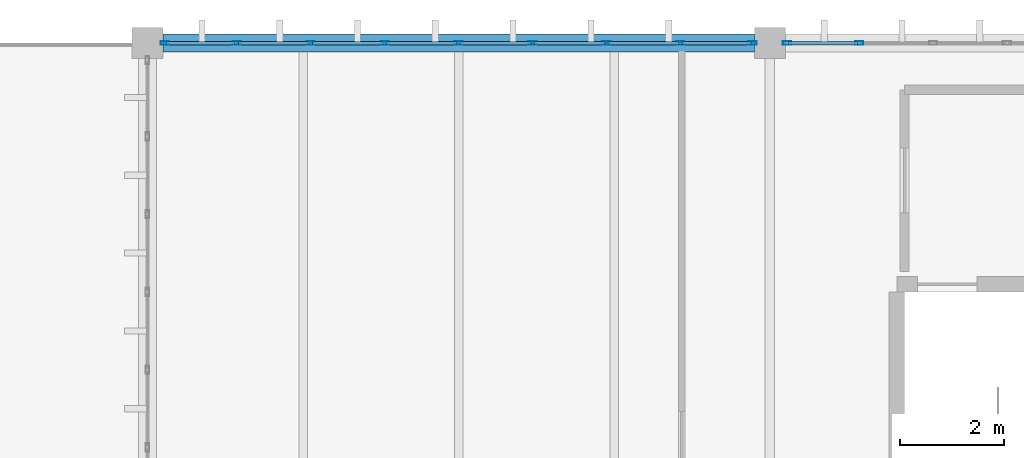
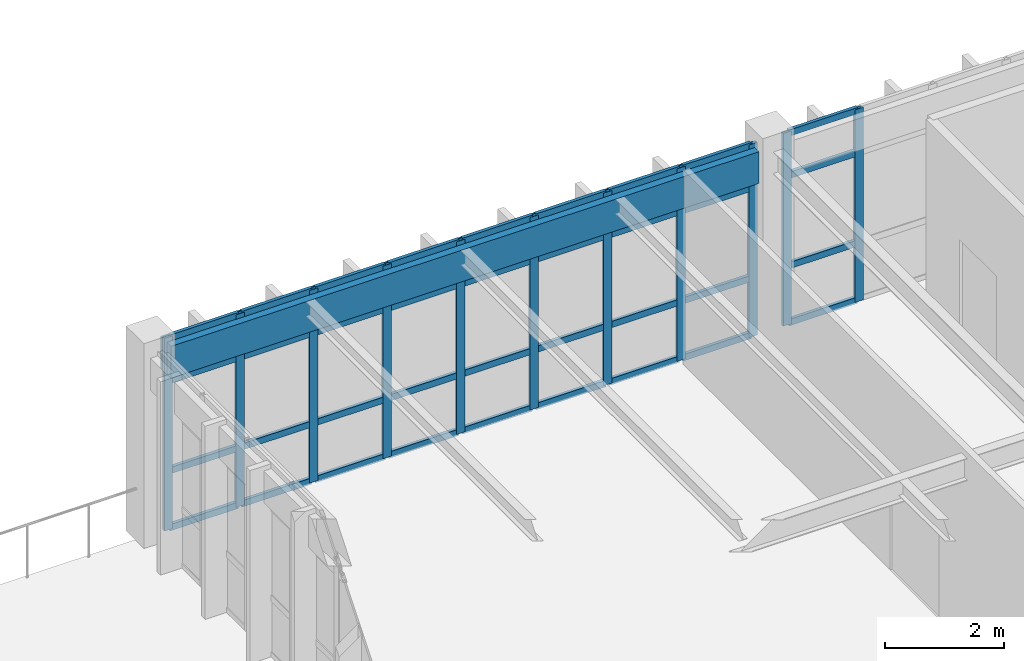
# One storey, part 16 of 28: 47 members, 1 beam, 2 elements without a shape of their own.
"""IFC4 building model written with IfcOpenShell, lengths in metres."""

import ifcopenshell
import ifcopenshell.guid

model = None  # the IFC model being written
_history = None  # IfcOwnerHistory: only IFC2X3 demands one
_inside = {}  # id of a spatial element -> (the spatial element, [elements in it])
_under = {}  # id of a project, library or spatial element -> (it, [spatial elements below it])
_declared = {}  # id of a project -> (the project, [libraries it declares])
_typed = {}  # id of a type object -> (the type object, [elements of that type])
_made_of = {}  # id of a material, layer set ... -> (it, [elements and type objects made of it])


def new_model(schema):
    """Start an empty IFC model of exactly this schema.

    Asked for "IFC4X3", IfcOpenShell would pick the latest addendum, in which some entities
    have other attributes; the version numbers below select the first issue.
    IFC2X3 requires an IfcOwnerHistory on every rooted entity: one is made here for all.
    """
    global model, _history
    if schema == "IFC4X3":
        model = ifcopenshell.file(schema_version=(4, 3, 0, 0))
    else:
        model = ifcopenshell.file(schema=schema)
    _inside.clear()
    _under.clear()
    _declared.clear()
    _typed.clear()
    _made_of.clear()
    _history = None
    if model.schema == "IFC2X3":
        org = make("IfcOrganization", Name="unknown")
        user = make(
            "IfcPersonAndOrganization",
            ThePerson=make("IfcPerson", FamilyName="unknown"),
            TheOrganization=org,
        )
        app = make(
            "IfcApplication",
            ApplicationDeveloper=org,
            Version="unknown",
            ApplicationFullName="unknown",
            ApplicationIdentifier="unknown",
        )
        _history = make(
            "IfcOwnerHistory",
            OwningUser=user,
            OwningApplication=app,
            ChangeAction="ADDED",
            CreationDate=0,
        )
    return model


def make(cls, **values):
    """One entity of the class cls with the attributes given. An attribute that is None is left unset."""
    return model.create_entity(
        cls, **{name: value for name, value in values.items() if value is not None}
    )


def rooted(cls, **values):
    """An entity with a GlobalId (a new one), such as an element, a storey or a relation."""
    return make(cls, GlobalId=ifcopenshell.guid.new(), OwnerHistory=_history, **values)


def si_unit(unit_type, name, prefix=None):
    """IfcSIUnit, for example si_unit("LENGTHUNIT", "METRE", prefix="MILLI")."""
    return make("IfcSIUnit", UnitType=unit_type, Prefix=prefix, Name=name)


def assignment(units):
    """IfcUnitAssignment: the units of a project."""
    return None if units is None else make("IfcUnitAssignment", Units=units)


def point(xyz):
    """IfcCartesianPoint."""
    return None if xyz is None else make("IfcCartesianPoint", Coordinates=xyz)


def direction(xyz):
    """IfcDirection."""
    return None if xyz is None else make("IfcDirection", DirectionRatios=xyz)


def frame(location, z_axis=None, x_axis=None):
    """IfcAxis2Placement3D, a coordinate frame: its origin and axes. An axis left out is left unset."""
    return make(
        "IfcAxis2Placement3D",
        Location=point(location),
        Axis=direction(z_axis),
        RefDirection=direction(x_axis),
    )


def frame_2d(location, x_axis=None):
    """IfcAxis2Placement2D, a coordinate frame in the plane: its origin and x axis."""
    return make(
        "IfcAxis2Placement2D", Location=point(location), RefDirection=direction(x_axis)
    )


def origin():
    """The frame at (0, 0, 0) with its axes left unset."""
    return frame((0.0, 0.0, 0.0))


def origin_2d():
    """The frame at (0, 0) in the plane with its x axis left unset."""
    return frame_2d((0.0, 0.0))


def place(relative_to, where):
    """IfcLocalPlacement: puts the frame where relative to a parent placement (None: the world)."""
    return make(
        "IfcLocalPlacement", PlacementRelTo=relative_to, RelativePlacement=where
    )


def context(
    kind, dimensions, precision=None, world=None, true_north=None, identifier=None
):
    """IfcGeometricRepresentationContext, for example the 3D "Model" context."""
    return make(
        "IfcGeometricRepresentationContext",
        ContextIdentifier=identifier,
        ContextType=kind,
        CoordinateSpaceDimension=dimensions,
        Precision=precision,
        WorldCoordinateSystem=world,
        TrueNorth=true_north,
    )


def subcontext(parent, identifier, kind, view, scale=None):
    """IfcGeometricRepresentationSubContext, for example "Body" below "Model"."""
    return make(
        "IfcGeometricRepresentationSubContext",
        ContextIdentifier=identifier,
        ContextType=kind,
        ParentContext=parent,
        TargetScale=scale,
        TargetView=view,
    )


def project(units=None, contexts=None):
    """IfcProject with its units and contexts."""
    return rooted(
        "IfcProject",
        Name="project",
        RepresentationContexts=contexts,
        UnitsInContext=assignment(units),
    )


def spatial(cls, under=None, at=None, **own):
    """A site, building, storey or space (cls), placed at a placement, below another one or the project."""
    s = rooted(cls, ObjectPlacement=at, **own)
    if under is not None:
        _under.setdefault(under.id(), (under, []))[1].append(s)
    return s


def profile(cls, at=None, kind="AREA", **sizes):
    """A parametric profile (cls). Its sizes go by their IFC names, for example OverallWidth=200.0."""
    return make(cls, ProfileType=kind, Position=at, **sizes)


def rectangle(**sizes):
    """IfcRectangleProfileDef."""
    return profile("IfcRectangleProfileDef", **sizes)


def hollow_rectangle(**sizes):
    """IfcRectangleHollowProfileDef."""
    return profile("IfcRectangleHollowProfileDef", **sizes)


def extrude(swept, where, along, depth):
    """IfcExtrudedAreaSolid: the profile swept, set in the frame where, extruded along a direction by depth."""
    return make(
        "IfcExtrudedAreaSolid",
        SweptArea=swept,
        Position=where,
        ExtrudedDirection=direction(along),
        Depth=depth,
    )


def shape(context_of_items, identifier, shape_type, items):
    """IfcShapeRepresentation: the items that make up one representation, for example the "Body"."""
    return make(
        "IfcShapeRepresentation",
        ContextOfItems=context_of_items,
        RepresentationIdentifier=identifier,
        RepresentationType=shape_type,
        Items=items,
    )


def material(Name=None, Category=None):
    """IfcMaterial."""
    return make("IfcMaterial", Name=Name, Category=Category)


def layer(
    of_material, thickness, ventilated=None, Name=None, Category=None, Priority=None
):
    """IfcMaterialLayer: one layer of a wall or slab, of a material (None: an air gap)."""
    return make(
        "IfcMaterialLayer",
        Material=of_material,
        LayerThickness=thickness,
        IsVentilated=ventilated,
        Name=Name,
        Category=Category,
        Priority=Priority,
    )


def layer_set(layers, Name=None):
    """IfcMaterialLayerSet."""
    return make("IfcMaterialLayerSet", MaterialLayers=layers, LayerSetName=Name)


def material_profile(
    of_material, cross_section, Name=None, Category=None, Priority=None
):
    """IfcMaterialProfile: a cross section and its material."""
    return make(
        "IfcMaterialProfile",
        Name=Name,
        Material=of_material,
        Profile=cross_section,
        Priority=Priority,
        Category=Category,
    )


def profile_set(profiles, Name=None, composite=None):
    """IfcMaterialProfileSet."""
    return make(
        "IfcMaterialProfileSet",
        Name=Name,
        MaterialProfiles=profiles,
        CompositeProfile=composite,
    )


def made_of(thing, what):
    """Note that an element or type object is made of a material, layer set ...; save() writes the relation."""
    if what is not None:
        _made_of.setdefault(what.id(), (what, []))[1].append(thing)
    return thing


def type_object(cls, material=None, **own):
    """A type object (cls), such as IfcWallType, which elements share."""
    return made_of(rooted(cls, **own), material)


def element(
    cls,
    number,
    at=None,
    inside=None,
    cuts=None,
    type_object=None,
    material=None,
    context=None,
    identifier="Body",
    shape_type=None,
    held_by="IfcProductDefinitionShape",
    body=None,
    shapes=None,
    **own,
):
    """One element of the class cls, such as IfcWall. Its Tag is "e" and its number.

    at: its placement. inside: the storey or other place that contains it. cuts: it is an
    opening in that element (IfcRelVoidsElement). A single representation is given by context,
    identifier, shape_type and body (its items); several are given by shapes. held_by: the class
    of the entity that holds the representations. save() writes the other relations.
    """
    e = rooted(cls, Tag="e%d" % number, ObjectPlacement=at, **own)
    if body is not None:
        shapes = [shape(context, identifier, shape_type, body)]
    if shapes is not None:
        e.Representation = make(held_by, Representations=shapes)
    if inside is not None:
        _inside.setdefault(inside.id(), (inside, []))[1].append(e)
    if cuts is not None:
        rooted(
            "IfcRelVoidsElement", RelatingBuildingElement=cuts, RelatedOpeningElement=e
        )
    if type_object is not None:
        _typed.setdefault(type_object.id(), (type_object, []))[1].append(e)
    return made_of(e, material)


def aggregate(whole, parts):
    """IfcRelAggregates: a whole, such as a stair, and the parts it consists of."""
    return rooted("IfcRelAggregates", RelatingObject=whole, RelatedObjects=parts)


def save(model, path):
    """Write the relations noted so far, then the file.

    IfcRelAggregates (storeys below a building ...), IfcRelContainedInSpatialStructure (elements
    in a storey), IfcRelDefinesByType, IfcRelAssociatesMaterial and IfcRelDeclares: one each for
    every whole, place, type object, material and project.
    """
    for whole, parts in _under.values():
        aggregate(whole, parts)
    for where, things in _inside.values():
        rooted(
            "IfcRelContainedInSpatialStructure",
            RelatedElements=things,
            RelatingStructure=where,
        )
    for kind, things in _typed.values():
        rooted("IfcRelDefinesByType", RelatedObjects=things, RelatingType=kind)
    for what, things in _made_of.values():
        rooted("IfcRelAssociatesMaterial", RelatedObjects=things, RelatingMaterial=what)
    for by, libraries in _declared.values():
        rooted("IfcRelDeclares", RelatingContext=by, RelatedDefinitions=libraries)
    model.write(path)


model = new_model("IFC4")

# Units and contexts
model_context = context("Model", 3, precision=1e-05, world=origin(), true_north=direction((0.0, 1.0)))
body_context = subcontext(model_context, "Body", "Model", "MODEL_VIEW")
ifc_project = project(units=[si_unit("LENGTHUNIT", "METRE"), si_unit("AREAUNIT", "SQUARE_METRE"), si_unit("VOLUMEUNIT", "CUBIC_METRE"), si_unit("PLANEANGLEUNIT", "RADIAN"), si_unit("MASSUNIT", "GRAM", prefix="KILO")], contexts=[model_context])

# Site, building, storey
site_placement = place(None, origin())
site = spatial("IfcSite", under=ifc_project, at=site_placement, CompositionType="ELEMENT")
building_placement = place(site_placement, origin())
building = spatial("IfcBuilding", under=site, at=building_placement, Name="Pandanus Reach Market Hall", CompositionType="ELEMENT")
storey_placement = place(building_placement, frame((0.0, 0.0, 18.60009765625)))
storey = spatial("IfcBuildingStorey", under=building, at=storey_placement, Name="L04", CompositionType="ELEMENT", Elevation=18.60009765625)

# Beam
ifc_material_1 = material(Name="Concrete N40 (40 MPa)", Category="concrete")
ifc_material_profile_1 = material_profile(ifc_material_1, rectangle(XDim=0.35009765625, YDim=0.64990234375, at=origin_2d()), Name="RC350x650", Category="LoadBearing")
ifc_profile_set_1 = profile_set([ifc_material_profile_1], Name="Concrete N40 (40 MPa)")
beam_type = type_object("IfcBeamType", Name="BM-RC350-E", PredefinedType="SPANDREL", material=ifc_profile_set_1)
beam_placement = place(storey_placement, frame((156.298095703125, 76.800048828125, 3.534912109375), z_axis=(1.0, 0.0, 0.0), x_axis=(0.0, 1.0, 0.0)))
element("IfcBeam", 1, at=beam_placement, inside=storey, type_object=beam_type, Name="Framing beam BM-RC350-E L04.620", PredefinedType="SPANDREL", context=body_context, shape_type="SweptSolid", body=[
    extrude(rectangle(XDim=0.35009765625, YDim=0.64990234375, at=origin_2d()), origin(), (0.0, 0.0, 1.0), 11.40380859375),
])

# Curtain wall, members
ifc_material_2 = material(Name="Bronze anodised aluminium and low-E glass", Category="aluminium")
ifc_layer = layer(ifc_material_2, 0.159912109375, Name="CW-35")
ifc_layer_set = layer_set([ifc_layer], Name="Bronze anodised aluminium and low-E glass")
curtain_wall_type = type_object("IfcCurtainWallType", Name="CW-35", PredefinedType="NOTDEFINED", material=ifc_layer_set)
curtain_wall_1_placement = place(storey_placement, origin())
curtain_wall_1 = element("IfcCurtainWall", 2, at=curtain_wall_1_placement, inside=storey, type_object=curtain_wall_type, Name="Glazed curtain wall CW-35 CW-0128", PredefinedType="NOTDEFINED")
ifc_material_3 = material(Name="Bronze anodised aluminium", Category="aluminium")
ifc_material_profile_2 = material_profile(ifc_material_3, hollow_rectangle(XDim=0.06494140625, YDim=0.159912109375, WallThickness=0.00390625, at=origin_2d()), Name="ALU65x160", Category="LoadBearing")
ifc_profile_set_2 = profile_set([ifc_material_profile_2], Name="Bronze anodised aluminium")
member_type_1 = type_object("IfcMemberType", Name="CW-M1", PredefinedType="MULLION", material=ifc_profile_set_2)
member_1_placement = place(storey_placement, frame((156.33251953125, 76.800048828125, 0.0), z_axis=(0.0, 0.0, 1.0), x_axis=(0.0, 1.0, 0.0)))
member_1 = element("IfcMember", 3, at=member_1_placement, type_object=member_type_1, Name="CW-35 mullion 1", PredefinedType="MULLION", context=body_context, shape_type="SweptSolid", body=[
    extrude(hollow_rectangle(XDim=0.06494140625, YDim=0.159912109375, WallThickness=0.00390625, at=origin_2d()), origin(), (0.0, 0.0, 1.0), 3.949951171875),
])
member_2_placement = place(storey_placement, frame((157.72509765625, 76.800048828125, 0.0), z_axis=(0.0, 0.0, 1.0), x_axis=(0.0, 1.0, 0.0)))
member_2 = element("IfcMember", 4, at=member_2_placement, type_object=member_type_1, Name="CW-35 mullion 2", PredefinedType="MULLION", context=body_context, shape_type="SweptSolid", body=[
    extrude(hollow_rectangle(XDim=0.06494140625, YDim=0.159912109375, WallThickness=0.00390625, at=origin_2d()), origin(), (0.0, 0.0, 1.0), 3.949951171875),
])
member_3_placement = place(storey_placement, frame((159.14990234375, 76.800048828125, 0.0), z_axis=(0.0, 0.0, 1.0), x_axis=(0.0, 1.0, 0.0)))
member_3 = element("IfcMember", 5, at=member_3_placement, type_object=member_type_1, Name="CW-35 mullion 3", PredefinedType="MULLION", context=body_context, shape_type="SweptSolid", body=[
    extrude(hollow_rectangle(XDim=0.06494140625, YDim=0.159912109375, WallThickness=0.00390625, at=origin_2d()), origin(), (0.0, 0.0, 1.0), 3.949951171875),
])
member_4_placement = place(storey_placement, frame((160.574951171875, 76.800048828125, 0.0), z_axis=(0.0, 0.0, 1.0), x_axis=(0.0, 1.0, 0.0)))
member_4 = element("IfcMember", 6, at=member_4_placement, type_object=member_type_1, Name="CW-35 mullion 4", PredefinedType="MULLION", context=body_context, shape_type="SweptSolid", body=[
    extrude(hollow_rectangle(XDim=0.06494140625, YDim=0.159912109375, WallThickness=0.00390625, at=origin_2d()), origin(), (0.0, 0.0, 1.0), 3.949951171875),
])
member_5_placement = place(storey_placement, frame((162.0, 76.800048828125, 0.0), z_axis=(0.0, 0.0, 1.0), x_axis=(0.0, 1.0, 0.0)))
member_5 = element("IfcMember", 7, at=member_5_placement, type_object=member_type_1, Name="CW-35 mullion 5", PredefinedType="MULLION", context=body_context, shape_type="SweptSolid", body=[
    extrude(hollow_rectangle(XDim=0.06494140625, YDim=0.159912109375, WallThickness=0.00390625, at=origin_2d()), origin(), (0.0, 0.0, 1.0), 3.949951171875),
])
member_6_placement = place(storey_placement, frame((163.425048828125, 76.800048828125, 0.0), z_axis=(0.0, 0.0, 1.0), x_axis=(0.0, 1.0, 0.0)))
member_6 = element("IfcMember", 8, at=member_6_placement, type_object=member_type_1, Name="CW-35 mullion 6", PredefinedType="MULLION", context=body_context, shape_type="SweptSolid", body=[
    extrude(hollow_rectangle(XDim=0.06494140625, YDim=0.159912109375, WallThickness=0.00390625, at=origin_2d()), origin(), (0.0, 0.0, 1.0), 3.949951171875),
])
member_7_placement = place(storey_placement, frame((164.85009765625, 76.800048828125, 0.0), z_axis=(0.0, 0.0, 1.0), x_axis=(0.0, 1.0, 0.0)))
member_7 = element("IfcMember", 9, at=member_7_placement, type_object=member_type_1, Name="CW-35 mullion 7", PredefinedType="MULLION", context=body_context, shape_type="SweptSolid", body=[
    extrude(hollow_rectangle(XDim=0.06494140625, YDim=0.159912109375, WallThickness=0.00390625, at=origin_2d()), origin(), (0.0, 0.0, 1.0), 3.949951171875),
])
member_8_placement = place(storey_placement, frame((166.27490234375, 76.800048828125, 0.0), z_axis=(0.0, 0.0, 1.0), x_axis=(0.0, 1.0, 0.0)))
member_8 = element("IfcMember", 10, at=member_8_placement, type_object=member_type_1, Name="CW-35 mullion 8", PredefinedType="MULLION", context=body_context, shape_type="SweptSolid", body=[
    extrude(hollow_rectangle(XDim=0.06494140625, YDim=0.159912109375, WallThickness=0.00390625, at=origin_2d()), origin(), (0.0, 0.0, 1.0), 3.949951171875),
])
member_9_placement = place(storey_placement, frame((167.66748046875, 76.800048828125, 0.0), z_axis=(0.0, 0.0, 1.0), x_axis=(0.0, 1.0, 0.0)))
member_9 = element("IfcMember", 11, at=member_9_placement, type_object=member_type_1, Name="CW-35 mullion 9", PredefinedType="MULLION", context=body_context, shape_type="SweptSolid", body=[
    extrude(hollow_rectangle(XDim=0.06494140625, YDim=0.159912109375, WallThickness=0.00390625, at=origin_2d()), origin(), (0.0, 0.0, 1.0), 3.949951171875),
])

curtain_wall_2_placement = place(storey_placement, origin())
curtain_wall_2 = element("IfcCurtainWall", 12, at=curtain_wall_2_placement, inside=storey, type_object=curtain_wall_type, Name="Glazed curtain wall CW-35 CW-0130", PredefinedType="NOTDEFINED")
member_10_placement = place(storey_placement, frame((168.33251953125, 76.800048828125, 0.0), z_axis=(0.0, 0.0, 1.0), x_axis=(0.0, 1.0, 0.0)))
member_10 = element("IfcMember", 13, at=member_10_placement, type_object=member_type_1, Name="CW-35 mullion 1", PredefinedType="MULLION", context=body_context, shape_type="SweptSolid", body=[
    extrude(hollow_rectangle(XDim=0.06494140625, YDim=0.159912109375, WallThickness=0.00390625, at=origin_2d()), origin(), (0.0, 0.0, 1.0), 3.949951171875),
])
member_11_placement = place(storey_placement, frame((169.72509765625, 76.800048828125, 0.0), z_axis=(0.0, 0.0, 1.0), x_axis=(0.0, 1.0, 0.0)))
member_11 = element("IfcMember", 14, at=member_11_placement, type_object=member_type_1, Name="CW-35 mullion 2", PredefinedType="MULLION", context=body_context, shape_type="SweptSolid", body=[
    extrude(hollow_rectangle(XDim=0.06494140625, YDim=0.159912109375, WallThickness=0.00390625, at=origin_2d()), origin(), (0.0, 0.0, 1.0), 3.949951171875),
])

# Member
ifc_material_profile_3 = material_profile(ifc_material_3, hollow_rectangle(XDim=0.06494140625, YDim=0.1298828125, WallThickness=0.00390625, at=origin_2d()), Name="ALU65x130", Category="LoadBearing")
ifc_profile_set_3 = profile_set([ifc_material_profile_3], Name="Bronze anodised aluminium")
member_type_2 = type_object("IfcMemberType", Name="CW-T1", PredefinedType="USERDEFINED", material=ifc_profile_set_3)
member_12_placement = place(storey_placement, frame((156.364990234375, 76.800048828125, 0.032470703125), z_axis=(1.0, 0.0, 0.0), x_axis=(0.0, 1.0, 0.0)))
member_12 = element("IfcMember", 15, at=member_12_placement, type_object=member_type_2, Name="CW-35 transom 1.1", ObjectType="TRANSOM", PredefinedType="USERDEFINED", context=body_context, shape_type="SweptSolid", body=[
    extrude(hollow_rectangle(XDim=0.06494140625, YDim=0.1298828125, WallThickness=0.00390625, at=origin_2d()), origin(), (0.0, 0.0, 1.0), 1.327392578125),
])

member_13_placement = place(storey_placement, frame((156.364990234375, 76.800048828125, 1.199951171875), z_axis=(1.0, 0.0, 0.0), x_axis=(0.0, 1.0, 0.0)))
member_13 = element("IfcMember", 16, at=member_13_placement, type_object=member_type_2, Name="CW-35 transom 1.2", ObjectType="TRANSOM", PredefinedType="USERDEFINED", context=body_context, shape_type="SweptSolid", body=[
    extrude(hollow_rectangle(XDim=0.06494140625, YDim=0.1298828125, WallThickness=0.00390625, at=origin_2d()), origin(), (0.0, 0.0, 1.0), 1.327392578125),
])

member_14_placement = place(storey_placement, frame((156.364990234375, 76.800048828125, 3.0498046875), z_axis=(1.0, 0.0, 0.0), x_axis=(0.0, 1.0, 0.0)))
member_14 = element("IfcMember", 17, at=member_14_placement, type_object=member_type_2, Name="CW-35 transom 1.3", ObjectType="TRANSOM", PredefinedType="USERDEFINED", context=body_context, shape_type="SweptSolid", body=[
    extrude(hollow_rectangle(XDim=0.06494140625, YDim=0.1298828125, WallThickness=0.00390625, at=origin_2d()), origin(), (0.0, 0.0, 1.0), 1.327392578125),
])

member_15_placement = place(storey_placement, frame((156.364990234375, 76.800048828125, 3.91748046875), z_axis=(1.0, 0.0, 0.0), x_axis=(0.0, 1.0, 0.0)))
member_15 = element("IfcMember", 18, at=member_15_placement, type_object=member_type_2, Name="CW-35 transom 1.4", ObjectType="TRANSOM", PredefinedType="USERDEFINED", context=body_context, shape_type="SweptSolid", body=[
    extrude(hollow_rectangle(XDim=0.06494140625, YDim=0.1298828125, WallThickness=0.00390625, at=origin_2d()), origin(), (0.0, 0.0, 1.0), 1.327392578125),
])

member_16_placement = place(storey_placement, frame((157.757568359375, 76.800048828125, 0.032470703125), z_axis=(1.0, 0.0, 0.0), x_axis=(0.0, 1.0, 0.0)))
member_16 = element("IfcMember", 19, at=member_16_placement, type_object=member_type_2, Name="CW-35 transom 2.1", ObjectType="TRANSOM", PredefinedType="USERDEFINED", context=body_context, shape_type="SweptSolid", body=[
    extrude(hollow_rectangle(XDim=0.06494140625, YDim=0.1298828125, WallThickness=0.00390625, at=origin_2d()), origin(), (0.0, 0.0, 1.0), 1.35986328125),
])

member_17_placement = place(storey_placement, frame((157.757568359375, 76.800048828125, 1.199951171875), z_axis=(1.0, 0.0, 0.0), x_axis=(0.0, 1.0, 0.0)))
member_17 = element("IfcMember", 20, at=member_17_placement, type_object=member_type_2, Name="CW-35 transom 2.2", ObjectType="TRANSOM", PredefinedType="USERDEFINED", context=body_context, shape_type="SweptSolid", body=[
    extrude(hollow_rectangle(XDim=0.06494140625, YDim=0.1298828125, WallThickness=0.00390625, at=origin_2d()), origin(), (0.0, 0.0, 1.0), 1.35986328125),
])

member_18_placement = place(storey_placement, frame((157.757568359375, 76.800048828125, 3.0498046875), z_axis=(1.0, 0.0, 0.0), x_axis=(0.0, 1.0, 0.0)))
member_18 = element("IfcMember", 21, at=member_18_placement, type_object=member_type_2, Name="CW-35 transom 2.3", ObjectType="TRANSOM", PredefinedType="USERDEFINED", context=body_context, shape_type="SweptSolid", body=[
    extrude(hollow_rectangle(XDim=0.06494140625, YDim=0.1298828125, WallThickness=0.00390625, at=origin_2d()), origin(), (0.0, 0.0, 1.0), 1.35986328125),
])

member_19_placement = place(storey_placement, frame((157.757568359375, 76.800048828125, 3.91748046875), z_axis=(1.0, 0.0, 0.0), x_axis=(0.0, 1.0, 0.0)))
member_19 = element("IfcMember", 22, at=member_19_placement, type_object=member_type_2, Name="CW-35 transom 2.4", ObjectType="TRANSOM", PredefinedType="USERDEFINED", context=body_context, shape_type="SweptSolid", body=[
    extrude(hollow_rectangle(XDim=0.06494140625, YDim=0.1298828125, WallThickness=0.00390625, at=origin_2d()), origin(), (0.0, 0.0, 1.0), 1.35986328125),
])

member_20_placement = place(storey_placement, frame((159.1826171875, 76.800048828125, 0.032470703125), z_axis=(1.0, 0.0, 0.0), x_axis=(0.0, 1.0, 0.0)))
member_20 = element("IfcMember", 23, at=member_20_placement, type_object=member_type_2, Name="CW-35 transom 3.1", ObjectType="TRANSOM", PredefinedType="USERDEFINED", context=body_context, shape_type="SweptSolid", body=[
    extrude(hollow_rectangle(XDim=0.06494140625, YDim=0.1298828125, WallThickness=0.00390625, at=origin_2d()), origin(), (0.0, 0.0, 1.0), 1.35986328125),
])

member_21_placement = place(storey_placement, frame((159.1826171875, 76.800048828125, 1.199951171875), z_axis=(1.0, 0.0, 0.0), x_axis=(0.0, 1.0, 0.0)))
member_21 = element("IfcMember", 24, at=member_21_placement, type_object=member_type_2, Name="CW-35 transom 3.2", ObjectType="TRANSOM", PredefinedType="USERDEFINED", context=body_context, shape_type="SweptSolid", body=[
    extrude(hollow_rectangle(XDim=0.06494140625, YDim=0.1298828125, WallThickness=0.00390625, at=origin_2d()), origin(), (0.0, 0.0, 1.0), 1.35986328125),
])

member_22_placement = place(storey_placement, frame((159.1826171875, 76.800048828125, 3.0498046875), z_axis=(1.0, 0.0, 0.0), x_axis=(0.0, 1.0, 0.0)))
member_22 = element("IfcMember", 25, at=member_22_placement, type_object=member_type_2, Name="CW-35 transom 3.3", ObjectType="TRANSOM", PredefinedType="USERDEFINED", context=body_context, shape_type="SweptSolid", body=[
    extrude(hollow_rectangle(XDim=0.06494140625, YDim=0.1298828125, WallThickness=0.00390625, at=origin_2d()), origin(), (0.0, 0.0, 1.0), 1.35986328125),
])

member_23_placement = place(storey_placement, frame((159.1826171875, 76.800048828125, 3.91748046875), z_axis=(1.0, 0.0, 0.0), x_axis=(0.0, 1.0, 0.0)))
member_23 = element("IfcMember", 26, at=member_23_placement, type_object=member_type_2, Name="CW-35 transom 3.4", ObjectType="TRANSOM", PredefinedType="USERDEFINED", context=body_context, shape_type="SweptSolid", body=[
    extrude(hollow_rectangle(XDim=0.06494140625, YDim=0.1298828125, WallThickness=0.00390625, at=origin_2d()), origin(), (0.0, 0.0, 1.0), 1.35986328125),
])

member_24_placement = place(storey_placement, frame((160.607421875, 76.800048828125, 0.032470703125), z_axis=(1.0, 0.0, 0.0), x_axis=(0.0, 1.0, 0.0)))
member_24 = element("IfcMember", 27, at=member_24_placement, type_object=member_type_2, Name="CW-35 transom 4.1", ObjectType="TRANSOM", PredefinedType="USERDEFINED", context=body_context, shape_type="SweptSolid", body=[
    extrude(hollow_rectangle(XDim=0.06494140625, YDim=0.1298828125, WallThickness=0.00390625, at=origin_2d()), origin(), (0.0, 0.0, 1.0), 1.360107421875),
])

member_25_placement = place(storey_placement, frame((160.607421875, 76.800048828125, 1.199951171875), z_axis=(1.0, 0.0, 0.0), x_axis=(0.0, 1.0, 0.0)))
member_25 = element("IfcMember", 28, at=member_25_placement, type_object=member_type_2, Name="CW-35 transom 4.2", ObjectType="TRANSOM", PredefinedType="USERDEFINED", context=body_context, shape_type="SweptSolid", body=[
    extrude(hollow_rectangle(XDim=0.06494140625, YDim=0.1298828125, WallThickness=0.00390625, at=origin_2d()), origin(), (0.0, 0.0, 1.0), 1.360107421875),
])

member_26_placement = place(storey_placement, frame((160.607421875, 76.800048828125, 3.0498046875), z_axis=(1.0, 0.0, 0.0), x_axis=(0.0, 1.0, 0.0)))
member_26 = element("IfcMember", 29, at=member_26_placement, type_object=member_type_2, Name="CW-35 transom 4.3", ObjectType="TRANSOM", PredefinedType="USERDEFINED", context=body_context, shape_type="SweptSolid", body=[
    extrude(hollow_rectangle(XDim=0.06494140625, YDim=0.1298828125, WallThickness=0.00390625, at=origin_2d()), origin(), (0.0, 0.0, 1.0), 1.360107421875),
])

member_27_placement = place(storey_placement, frame((160.607421875, 76.800048828125, 3.91748046875), z_axis=(1.0, 0.0, 0.0), x_axis=(0.0, 1.0, 0.0)))
member_27 = element("IfcMember", 30, at=member_27_placement, type_object=member_type_2, Name="CW-35 transom 4.4", ObjectType="TRANSOM", PredefinedType="USERDEFINED", context=body_context, shape_type="SweptSolid", body=[
    extrude(hollow_rectangle(XDim=0.06494140625, YDim=0.1298828125, WallThickness=0.00390625, at=origin_2d()), origin(), (0.0, 0.0, 1.0), 1.360107421875),
])

member_28_placement = place(storey_placement, frame((162.032470703125, 76.800048828125, 0.032470703125), z_axis=(1.0, 0.0, 0.0), x_axis=(0.0, 1.0, 0.0)))
member_28 = element("IfcMember", 31, at=member_28_placement, type_object=member_type_2, Name="CW-35 transom 5.1", ObjectType="TRANSOM", PredefinedType="USERDEFINED", context=body_context, shape_type="SweptSolid", body=[
    extrude(hollow_rectangle(XDim=0.06494140625, YDim=0.1298828125, WallThickness=0.00390625, at=origin_2d()), origin(), (0.0, 0.0, 1.0), 1.360107421875),
])

member_29_placement = place(storey_placement, frame((162.032470703125, 76.800048828125, 1.199951171875), z_axis=(1.0, 0.0, 0.0), x_axis=(0.0, 1.0, 0.0)))
member_29 = element("IfcMember", 32, at=member_29_placement, type_object=member_type_2, Name="CW-35 transom 5.2", ObjectType="TRANSOM", PredefinedType="USERDEFINED", context=body_context, shape_type="SweptSolid", body=[
    extrude(hollow_rectangle(XDim=0.06494140625, YDim=0.1298828125, WallThickness=0.00390625, at=origin_2d()), origin(), (0.0, 0.0, 1.0), 1.360107421875),
])

member_30_placement = place(storey_placement, frame((162.032470703125, 76.800048828125, 3.0498046875), z_axis=(1.0, 0.0, 0.0), x_axis=(0.0, 1.0, 0.0)))
member_30 = element("IfcMember", 33, at=member_30_placement, type_object=member_type_2, Name="CW-35 transom 5.3", ObjectType="TRANSOM", PredefinedType="USERDEFINED", context=body_context, shape_type="SweptSolid", body=[
    extrude(hollow_rectangle(XDim=0.06494140625, YDim=0.1298828125, WallThickness=0.00390625, at=origin_2d()), origin(), (0.0, 0.0, 1.0), 1.360107421875),
])

member_31_placement = place(storey_placement, frame((162.032470703125, 76.800048828125, 3.91748046875), z_axis=(1.0, 0.0, 0.0), x_axis=(0.0, 1.0, 0.0)))
member_31 = element("IfcMember", 34, at=member_31_placement, type_object=member_type_2, Name="CW-35 transom 5.4", ObjectType="TRANSOM", PredefinedType="USERDEFINED", context=body_context, shape_type="SweptSolid", body=[
    extrude(hollow_rectangle(XDim=0.06494140625, YDim=0.1298828125, WallThickness=0.00390625, at=origin_2d()), origin(), (0.0, 0.0, 1.0), 1.360107421875),
])

member_32_placement = place(storey_placement, frame((163.45751953125, 76.800048828125, 0.032470703125), z_axis=(1.0, 0.0, 0.0), x_axis=(0.0, 1.0, 0.0)))
member_32 = element("IfcMember", 35, at=member_32_placement, type_object=member_type_2, Name="CW-35 transom 6.1", ObjectType="TRANSOM", PredefinedType="USERDEFINED", context=body_context, shape_type="SweptSolid", body=[
    extrude(hollow_rectangle(XDim=0.06494140625, YDim=0.1298828125, WallThickness=0.00390625, at=origin_2d()), origin(), (0.0, 0.0, 1.0), 1.35986328125),
])

member_33_placement = place(storey_placement, frame((163.45751953125, 76.800048828125, 1.199951171875), z_axis=(1.0, 0.0, 0.0), x_axis=(0.0, 1.0, 0.0)))
member_33 = element("IfcMember", 36, at=member_33_placement, type_object=member_type_2, Name="CW-35 transom 6.2", ObjectType="TRANSOM", PredefinedType="USERDEFINED", context=body_context, shape_type="SweptSolid", body=[
    extrude(hollow_rectangle(XDim=0.06494140625, YDim=0.1298828125, WallThickness=0.00390625, at=origin_2d()), origin(), (0.0, 0.0, 1.0), 1.35986328125),
])

member_34_placement = place(storey_placement, frame((163.45751953125, 76.800048828125, 3.0498046875), z_axis=(1.0, 0.0, 0.0), x_axis=(0.0, 1.0, 0.0)))
member_34 = element("IfcMember", 37, at=member_34_placement, type_object=member_type_2, Name="CW-35 transom 6.3", ObjectType="TRANSOM", PredefinedType="USERDEFINED", context=body_context, shape_type="SweptSolid", body=[
    extrude(hollow_rectangle(XDim=0.06494140625, YDim=0.1298828125, WallThickness=0.00390625, at=origin_2d()), origin(), (0.0, 0.0, 1.0), 1.35986328125),
])

member_35_placement = place(storey_placement, frame((163.45751953125, 76.800048828125, 3.91748046875), z_axis=(1.0, 0.0, 0.0), x_axis=(0.0, 1.0, 0.0)))
member_35 = element("IfcMember", 38, at=member_35_placement, type_object=member_type_2, Name="CW-35 transom 6.4", ObjectType="TRANSOM", PredefinedType="USERDEFINED", context=body_context, shape_type="SweptSolid", body=[
    extrude(hollow_rectangle(XDim=0.06494140625, YDim=0.1298828125, WallThickness=0.00390625, at=origin_2d()), origin(), (0.0, 0.0, 1.0), 1.35986328125),
])

member_36_placement = place(storey_placement, frame((164.882568359375, 76.800048828125, 0.032470703125), z_axis=(1.0, 0.0, 0.0), x_axis=(0.0, 1.0, 0.0)))
member_36 = element("IfcMember", 39, at=member_36_placement, type_object=member_type_2, Name="CW-35 transom 7.1", ObjectType="TRANSOM", PredefinedType="USERDEFINED", context=body_context, shape_type="SweptSolid", body=[
    extrude(hollow_rectangle(XDim=0.06494140625, YDim=0.1298828125, WallThickness=0.00390625, at=origin_2d()), origin(), (0.0, 0.0, 1.0), 1.35986328125),
])

member_37_placement = place(storey_placement, frame((164.882568359375, 76.800048828125, 1.199951171875), z_axis=(1.0, 0.0, 0.0), x_axis=(0.0, 1.0, 0.0)))
member_37 = element("IfcMember", 40, at=member_37_placement, type_object=member_type_2, Name="CW-35 transom 7.2", ObjectType="TRANSOM", PredefinedType="USERDEFINED", context=body_context, shape_type="SweptSolid", body=[
    extrude(hollow_rectangle(XDim=0.06494140625, YDim=0.1298828125, WallThickness=0.00390625, at=origin_2d()), origin(), (0.0, 0.0, 1.0), 1.35986328125),
])

member_38_placement = place(storey_placement, frame((164.882568359375, 76.800048828125, 3.0498046875), z_axis=(1.0, 0.0, 0.0), x_axis=(0.0, 1.0, 0.0)))
member_38 = element("IfcMember", 41, at=member_38_placement, type_object=member_type_2, Name="CW-35 transom 7.3", ObjectType="TRANSOM", PredefinedType="USERDEFINED", context=body_context, shape_type="SweptSolid", body=[
    extrude(hollow_rectangle(XDim=0.06494140625, YDim=0.1298828125, WallThickness=0.00390625, at=origin_2d()), origin(), (0.0, 0.0, 1.0), 1.35986328125),
])

member_39_placement = place(storey_placement, frame((164.882568359375, 76.800048828125, 3.91748046875), z_axis=(1.0, 0.0, 0.0), x_axis=(0.0, 1.0, 0.0)))
member_39 = element("IfcMember", 42, at=member_39_placement, type_object=member_type_2, Name="CW-35 transom 7.4", ObjectType="TRANSOM", PredefinedType="USERDEFINED", context=body_context, shape_type="SweptSolid", body=[
    extrude(hollow_rectangle(XDim=0.06494140625, YDim=0.1298828125, WallThickness=0.00390625, at=origin_2d()), origin(), (0.0, 0.0, 1.0), 1.35986328125),
])

member_40_placement = place(storey_placement, frame((166.3076171875, 76.800048828125, 0.032470703125), z_axis=(1.0, 0.0, 0.0), x_axis=(0.0, 1.0, 0.0)))
member_40 = element("IfcMember", 43, at=member_40_placement, type_object=member_type_2, Name="CW-35 transom 8.1", ObjectType="TRANSOM", PredefinedType="USERDEFINED", context=body_context, shape_type="SweptSolid", body=[
    extrude(hollow_rectangle(XDim=0.06494140625, YDim=0.1298828125, WallThickness=0.00390625, at=origin_2d()), origin(), (0.0, 0.0, 1.0), 1.327392578125),
])

member_41_placement = place(storey_placement, frame((166.3076171875, 76.800048828125, 1.199951171875), z_axis=(1.0, 0.0, 0.0), x_axis=(0.0, 1.0, 0.0)))
member_41 = element("IfcMember", 44, at=member_41_placement, type_object=member_type_2, Name="CW-35 transom 8.2", ObjectType="TRANSOM", PredefinedType="USERDEFINED", context=body_context, shape_type="SweptSolid", body=[
    extrude(hollow_rectangle(XDim=0.06494140625, YDim=0.1298828125, WallThickness=0.00390625, at=origin_2d()), origin(), (0.0, 0.0, 1.0), 1.327392578125),
])

member_42_placement = place(storey_placement, frame((166.3076171875, 76.800048828125, 3.0498046875), z_axis=(1.0, 0.0, 0.0), x_axis=(0.0, 1.0, 0.0)))
member_42 = element("IfcMember", 45, at=member_42_placement, type_object=member_type_2, Name="CW-35 transom 8.3", ObjectType="TRANSOM", PredefinedType="USERDEFINED", context=body_context, shape_type="SweptSolid", body=[
    extrude(hollow_rectangle(XDim=0.06494140625, YDim=0.1298828125, WallThickness=0.00390625, at=origin_2d()), origin(), (0.0, 0.0, 1.0), 1.327392578125),
])

member_43_placement = place(storey_placement, frame((166.3076171875, 76.800048828125, 3.91748046875), z_axis=(1.0, 0.0, 0.0), x_axis=(0.0, 1.0, 0.0)))
member_43 = element("IfcMember", 46, at=member_43_placement, type_object=member_type_2, Name="CW-35 transom 8.4", ObjectType="TRANSOM", PredefinedType="USERDEFINED", context=body_context, shape_type="SweptSolid", body=[
    extrude(hollow_rectangle(XDim=0.06494140625, YDim=0.1298828125, WallThickness=0.00390625, at=origin_2d()), origin(), (0.0, 0.0, 1.0), 1.327392578125),
])

aggregate(curtain_wall_1, [member_1, member_2, member_3, member_4, member_5, member_6, member_7, member_8, member_9, member_12, member_13, member_14, member_15, member_16, member_17, member_18, member_19, member_20, member_21, member_22, member_23, member_24, member_25, member_26, member_27, member_28, member_29, member_30, member_31, member_32, member_33, member_34, member_35, member_36, member_37, member_38, member_39, member_40, member_41, member_42, member_43])

member_44_placement = place(storey_placement, frame((168.364990234375, 76.800048828125, 0.032470703125), z_axis=(1.0, 0.0, 0.0), x_axis=(0.0, 1.0, 0.0)))
member_44 = element("IfcMember", 47, at=member_44_placement, type_object=member_type_2, Name="CW-35 transom 1.1", ObjectType="TRANSOM", PredefinedType="USERDEFINED", context=body_context, shape_type="SweptSolid", body=[
    extrude(hollow_rectangle(XDim=0.06494140625, YDim=0.1298828125, WallThickness=0.00390625, at=origin_2d()), origin(), (0.0, 0.0, 1.0), 1.327392578125),
])

member_45_placement = place(storey_placement, frame((168.364990234375, 76.800048828125, 1.199951171875), z_axis=(1.0, 0.0, 0.0), x_axis=(0.0, 1.0, 0.0)))
member_45 = element("IfcMember", 48, at=member_45_placement, type_object=member_type_2, Name="CW-35 transom 1.2", ObjectType="TRANSOM", PredefinedType="USERDEFINED", context=body_context, shape_type="SweptSolid", body=[
    extrude(hollow_rectangle(XDim=0.06494140625, YDim=0.1298828125, WallThickness=0.00390625, at=origin_2d()), origin(), (0.0, 0.0, 1.0), 1.327392578125),
])

member_46_placement = place(storey_placement, frame((168.364990234375, 76.800048828125, 3.0498046875), z_axis=(1.0, 0.0, 0.0), x_axis=(0.0, 1.0, 0.0)))
member_46 = element("IfcMember", 49, at=member_46_placement, type_object=member_type_2, Name="CW-35 transom 1.3", ObjectType="TRANSOM", PredefinedType="USERDEFINED", context=body_context, shape_type="SweptSolid", body=[
    extrude(hollow_rectangle(XDim=0.06494140625, YDim=0.1298828125, WallThickness=0.00390625, at=origin_2d()), origin(), (0.0, 0.0, 1.0), 1.327392578125),
])

member_47_placement = place(storey_placement, frame((168.364990234375, 76.800048828125, 3.91748046875), z_axis=(1.0, 0.0, 0.0), x_axis=(0.0, 1.0, 0.0)))
member_47 = element("IfcMember", 50, at=member_47_placement, type_object=member_type_2, Name="CW-35 transom 1.4", ObjectType="TRANSOM", PredefinedType="USERDEFINED", context=body_context, shape_type="SweptSolid", body=[
    extrude(hollow_rectangle(XDim=0.06494140625, YDim=0.1298828125, WallThickness=0.00390625, at=origin_2d()), origin(), (0.0, 0.0, 1.0), 1.327392578125),
])

aggregate(curtain_wall_2, [member_10, member_11, member_44, member_45, member_46, member_47])

save(model, "model.ifc")
